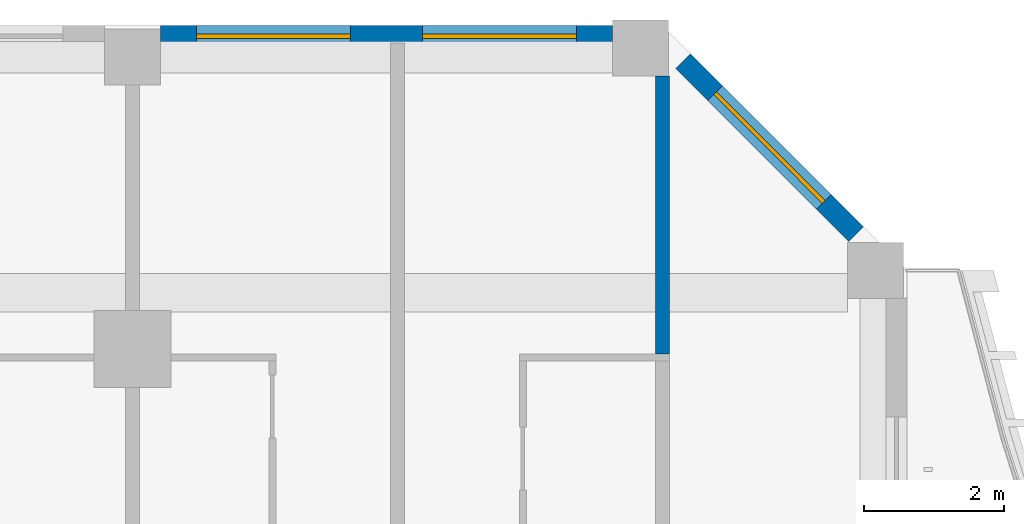
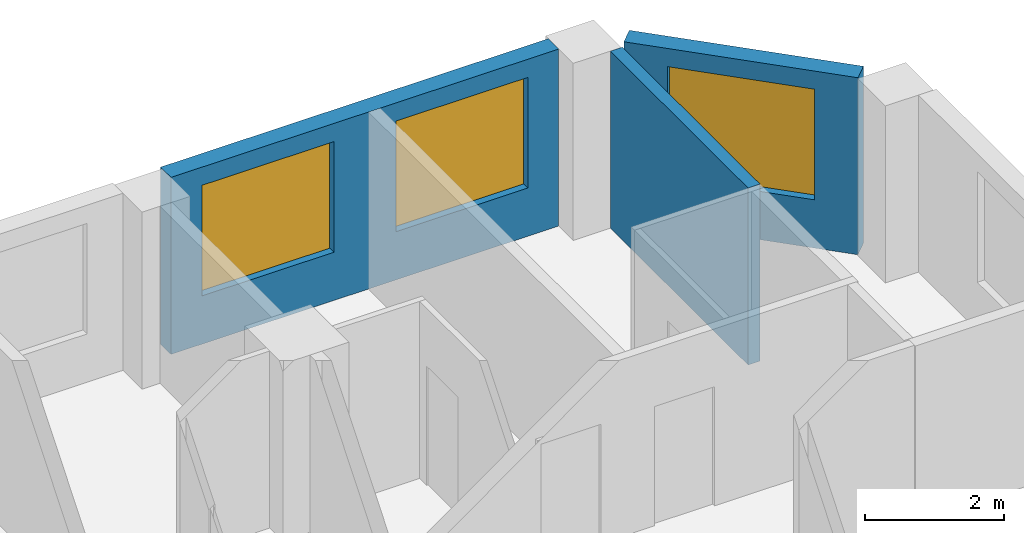
# One storey, part 11 of 22: 3 walls, 3 windows, 3 openings.
"""IFC4 building model written with IfcOpenShell, lengths in metres."""

from ifc_helpers import new_model, si_unit, direction, frame, frame_2d, origin, place, context, subcontext, project, spatial, rectangle, extrude, source, transform, mapped, material, layer, layer_set, type_object, element, fill, save


model = new_model("IFC4")

# Units and contexts
model_context = context("Model", 3, precision=1e-05, world=origin(), true_north=direction((0.0, 1.0)))
body_context = subcontext(model_context, "Body", "Model", "MODEL_VIEW")
ifc_project = project(units=[si_unit("LENGTHUNIT", "METRE"), si_unit("AREAUNIT", "SQUARE_METRE"), si_unit("VOLUMEUNIT", "CUBIC_METRE"), si_unit("PLANEANGLEUNIT", "RADIAN"), si_unit("MASSUNIT", "GRAM", prefix="KILO")], contexts=[model_context])

# Site, building, storey
site_placement = place(None, origin())
site = spatial("IfcSite", under=ifc_project, at=site_placement, CompositionType="ELEMENT")
building_placement = place(site_placement, origin())
building = spatial("IfcBuilding", under=site, at=building_placement, Name="Kilnfold Tower and Market Hall", CompositionType="ELEMENT")
storey_placement = place(building_placement, frame((0.0, 0.0, 143.89990234375)))
storey = spatial("IfcBuildingStorey", under=building, at=storey_placement, Name="L32", CompositionType="ELEMENT", Elevation=143.89990234375)

# Wall
ifc_material_1 = material(Name="Gypsum board on steel studs", Category="steel")
ifc_layer_1 = layer(ifc_material_1, 0.199951171875)
ifc_layer_set_1 = layer_set([ifc_layer_1], Name="Gypsum board on steel studs")
wall_type_1 = type_object("IfcWallType", Name="WALL PARTY 200", PredefinedType="PARTITIONING", material=ifc_layer_set_1)
wall_1_placement = place(storey_placement, frame((21.75, 26.552001953125, 0.0), z_axis=(0.0, 0.0, 1.0), x_axis=(0.0, 1.0, 0.0)))
element("IfcWall", 1, at=wall_1_placement, inside=storey, type_object=wall_type_1, Name="Partition LY21.120", PredefinedType="PARTITIONING", context=body_context, shape_type="SweptSolid", body=[
    extrude(rectangle(XDim=3.97998046875, YDim=0.199951171875, at=frame_2d((1.989990234375, 0.0))), origin(), (0.0, 0.0, 1.0), 3.1201171875),
])

# Wall, opening, window
ifc_material_2 = material(Name="Precast concrete C50/60", Category="concrete")
ifc_layer_2 = layer(ifc_material_2, 0.300048828125)
ifc_layer_set_2 = layer_set([ifc_layer_2], Name="Precast concrete C50/60")
wall_type_2 = type_object("IfcWallType", Name="PRECAST WALL 300", PredefinedType="SOLIDWALL", material=ifc_layer_set_2)
shared_shape_1 = source(origin(), body_context, "Body", "SweptSolid", [
    extrude(rectangle(XDim=3.500244140625, YDim=0.300048828125, at=frame_2d((1.75, 0.0))), origin(), (0.0, 0.0, 1.0), 3.1201171875),
])
wall_2_placement = place(storey_placement, frame((24.518798828125, 28.268798828125, 0.0), z_axis=(0.0, 0.0, 1.0), x_axis=(-0.70707190453, 0.707141656123, 0.0)))
wall_2 = element("IfcWall", 2, at=wall_2_placement, inside=storey, type_object=wall_type_2, Name="External wall L32 NE", PredefinedType="SOLIDWALL", context=body_context, shape_type="MappedRepresentation", body=[
    mapped(shared_shape_1, transform((0.0, 0.0, 0.0))),
])
opening_1_placement = place(wall_2_placement, frame((0.650146484375, 0.0, 0.85009765625)))
opening_1 = element("IfcOpeningElement", 3, at=opening_1_placement, cuts=wall_2, Name="Opening W2", PredefinedType="OPENING", context=body_context, shape_type="SweptSolid", body=[
    extrude(rectangle(XDim=2.199951171875, YDim=1.949951171875, at=frame_2d((1.10009765625, 0.97509765625))), frame((0.0, 0.16015625, 0.0), z_axis=(0.0, -1.0, 0.0), x_axis=(1.0, 0.0, 0.0)), (0.0, 0.0, 1.0), 0.320068359375),
])
ifc_material_3 = material(Name="Aluminium frame and double glazing", Category="aluminium")
window_type = type_object("IfcWindowType", Name="WINDOW W2 2200X1950", PartitioningType="SINGLE_PANEL", PredefinedType="WINDOW", material=ifc_material_3)
window_1_placement = place(opening_1_placement, origin())
window_1 = element("IfcWindow", 4, at=window_1_placement, inside=storey, type_object=window_type, Name="Window W2 L32 NE-1", OverallHeight=1.949951171875, OverallWidth=2.199951171875, PartitioningType="SINGLE_PANEL", PredefinedType="WINDOW", context=body_context, shape_type="SweptSolid", body=[
    extrude(rectangle(XDim=2.199951171875, YDim=1.949951171875, at=frame_2d((1.10009765625, 0.97509765625))), frame((0.0, 0.030029296875, 0.0), z_axis=(0.0, -1.0, 0.0), x_axis=(1.0, 0.0, 0.0)), (0.0, 0.0, 1.0), 0.06005859375),
])
fill(opening_1, window_1)

# Wall, openings, windows
shared_shape_2 = source(origin(), body_context, "Body", "SweptSolid", [
    extrude(rectangle(XDim=6.465087890625, YDim=0.300048828125, at=frame_2d((3.232421875, 0.0))), origin(), (0.0, 0.0, 1.0), 3.1201171875),
])
wall_3_placement = place(storey_placement, frame((21.03173828125, 31.10009765625, 0.0), z_axis=(0.0, 0.0, 1.0), x_axis=(-1.0, 0.0, 0.0)))
wall_3 = element("IfcWall", 5, at=wall_3_placement, inside=storey, type_object=wall_type_2, Name="External wall L32 N", PredefinedType="SOLIDWALL", context=body_context, shape_type="MappedRepresentation", body=[
    mapped(shared_shape_2, transform((0.0, 0.0, 0.0))),
])
opening_2_placement = place(wall_3_placement, frame((0.51611328125, 0.0, 0.85009765625)))
opening_2 = element("IfcOpeningElement", 6, at=opening_2_placement, cuts=wall_3, Name="Opening W2", PredefinedType="OPENING", context=body_context, shape_type="SweptSolid", body=[
    extrude(rectangle(XDim=2.199951171875, YDim=1.949951171875, at=frame_2d((1.10009765625, 0.97509765625))), frame((0.0, 0.16015625, 0.0), z_axis=(0.0, -1.0, 0.0), x_axis=(1.0, 0.0, 0.0)), (0.0, 0.0, 1.0), 0.320068359375),
])
opening_3_placement = place(wall_3_placement, frame((3.748779296875, 0.0, 0.85009765625)))
opening_3 = element("IfcOpeningElement", 7, at=opening_3_placement, cuts=wall_3, Name="Opening W2", PredefinedType="OPENING", context=body_context, shape_type="SweptSolid", body=[
    extrude(rectangle(XDim=2.199951171875, YDim=1.949951171875, at=frame_2d((1.10009765625, 0.97509765625))), frame((0.0, 0.16015625, 0.0), z_axis=(0.0, -1.0, 0.0), x_axis=(1.0, 0.0, 0.0)), (0.0, 0.0, 1.0), 0.320068359375),
])
window_2_placement = place(opening_2_placement, origin())
window_2 = element("IfcWindow", 8, at=window_2_placement, inside=storey, type_object=window_type, Name="Window W2 L32 N-1", OverallHeight=1.949951171875, OverallWidth=2.199951171875, PartitioningType="SINGLE_PANEL", PredefinedType="WINDOW", context=body_context, shape_type="SweptSolid", body=[
    extrude(rectangle(XDim=2.199951171875, YDim=1.949951171875, at=frame_2d((1.10009765625, 0.97509765625))), frame((0.0, 0.030029296875, 0.0), z_axis=(0.0, -1.0, 0.0), x_axis=(1.0, 0.0, 0.0)), (0.0, 0.0, 1.0), 0.06005859375),
])
fill(opening_2, window_2)
window_3_placement = place(opening_3_placement, origin())
window_3 = element("IfcWindow", 9, at=window_3_placement, inside=storey, type_object=window_type, Name="Window W2 L32 N-2", OverallHeight=1.949951171875, OverallWidth=2.199951171875, PartitioningType="SINGLE_PANEL", PredefinedType="WINDOW", context=body_context, shape_type="SweptSolid", body=[
    extrude(rectangle(XDim=2.199951171875, YDim=1.949951171875, at=frame_2d((1.10009765625, 0.97509765625))), frame((0.0, 0.030029296875, 0.0), z_axis=(0.0, -1.0, 0.0), x_axis=(1.0, 0.0, 0.0)), (0.0, 0.0, 1.0), 0.06005859375),
])
fill(opening_3, window_3)

save(model, "model.ifc")
